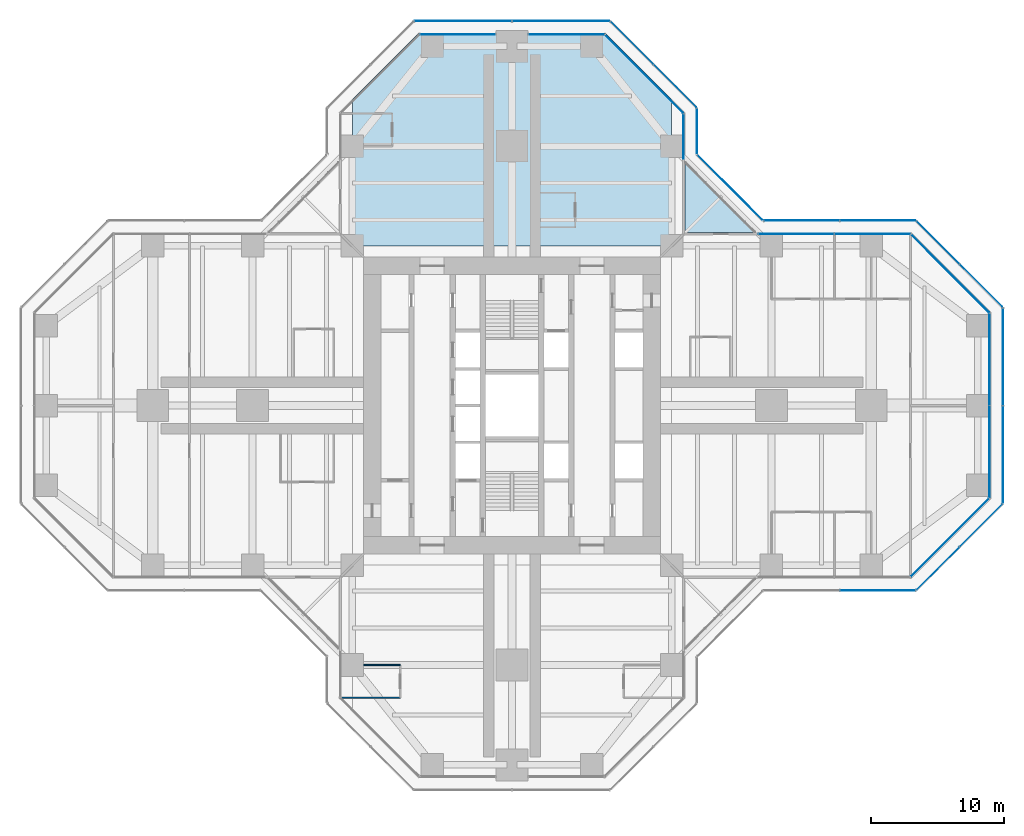
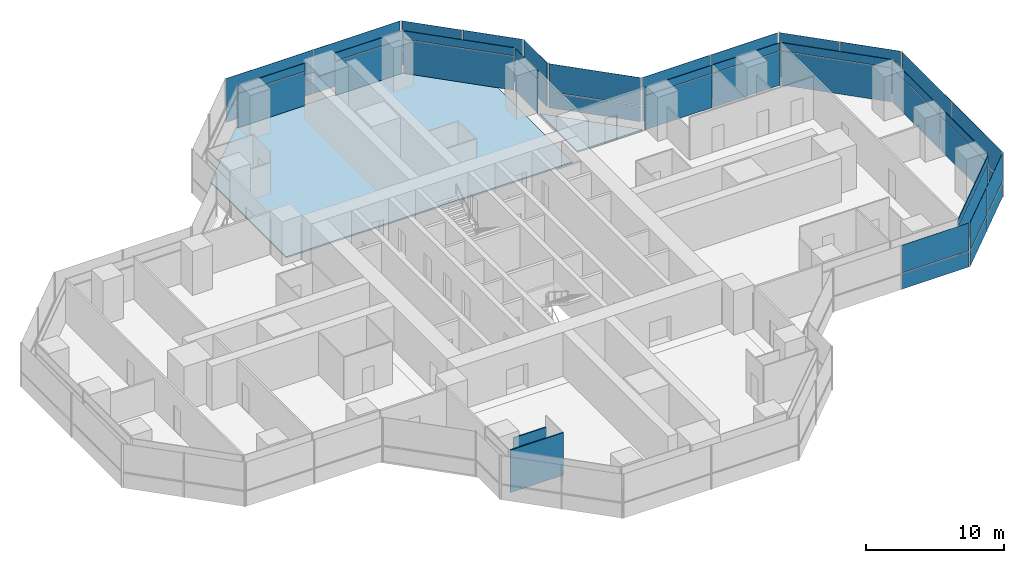
# One storey, part 14 of 20: 50 plates, 2 slabs, 2 walls, 17 elements without a shape of their own.
"""IFC4 building model written with IfcOpenShell, lengths in metres."""

import ifcopenshell
import ifcopenshell.guid

model = None  # the IFC model being written
_history = None  # IfcOwnerHistory: only IFC2X3 demands one
_inside = {}  # id of a spatial element -> (the spatial element, [elements in it])
_under = {}  # id of a project, library or spatial element -> (it, [spatial elements below it])
_declared = {}  # id of a project -> (the project, [libraries it declares])
_typed = {}  # id of a type object -> (the type object, [elements of that type])
_made_of = {}  # id of a material, layer set ... -> (it, [elements and type objects made of it])


def new_model(schema):
    """Start an empty IFC model of exactly this schema.

    Asked for "IFC4X3", IfcOpenShell would pick the latest addendum, in which some entities
    have other attributes; the version numbers below select the first issue.
    IFC2X3 requires an IfcOwnerHistory on every rooted entity: one is made here for all.
    """
    global model, _history
    if schema == "IFC4X3":
        model = ifcopenshell.file(schema_version=(4, 3, 0, 0))
    else:
        model = ifcopenshell.file(schema=schema)
    _inside.clear()
    _under.clear()
    _declared.clear()
    _typed.clear()
    _made_of.clear()
    _history = None
    if model.schema == "IFC2X3":
        org = make("IfcOrganization", Name="unknown")
        user = make(
            "IfcPersonAndOrganization",
            ThePerson=make("IfcPerson", FamilyName="unknown"),
            TheOrganization=org,
        )
        app = make(
            "IfcApplication",
            ApplicationDeveloper=org,
            Version="unknown",
            ApplicationFullName="unknown",
            ApplicationIdentifier="unknown",
        )
        _history = make(
            "IfcOwnerHistory",
            OwningUser=user,
            OwningApplication=app,
            ChangeAction="ADDED",
            CreationDate=0,
        )
    return model


def make(cls, **values):
    """One entity of the class cls with the attributes given. An attribute that is None is left unset."""
    return model.create_entity(
        cls, **{name: value for name, value in values.items() if value is not None}
    )


def rooted(cls, **values):
    """An entity with a GlobalId (a new one), such as an element, a storey or a relation."""
    return make(cls, GlobalId=ifcopenshell.guid.new(), OwnerHistory=_history, **values)


def si_unit(unit_type, name, prefix=None):
    """IfcSIUnit, for example si_unit("LENGTHUNIT", "METRE", prefix="MILLI")."""
    return make("IfcSIUnit", UnitType=unit_type, Prefix=prefix, Name=name)


def assignment(units):
    """IfcUnitAssignment: the units of a project."""
    return None if units is None else make("IfcUnitAssignment", Units=units)


def point(xyz):
    """IfcCartesianPoint."""
    return None if xyz is None else make("IfcCartesianPoint", Coordinates=xyz)


def direction(xyz):
    """IfcDirection."""
    return None if xyz is None else make("IfcDirection", DirectionRatios=xyz)


def frame(location, z_axis=None, x_axis=None):
    """IfcAxis2Placement3D, a coordinate frame: its origin and axes. An axis left out is left unset."""
    return make(
        "IfcAxis2Placement3D",
        Location=point(location),
        Axis=direction(z_axis),
        RefDirection=direction(x_axis),
    )


def frame_2d(location, x_axis=None):
    """IfcAxis2Placement2D, a coordinate frame in the plane: its origin and x axis."""
    return make(
        "IfcAxis2Placement2D", Location=point(location), RefDirection=direction(x_axis)
    )


def origin():
    """The frame at (0, 0, 0) with its axes left unset."""
    return frame((0.0, 0.0, 0.0))


def origin_2d():
    """The frame at (0, 0) in the plane with its x axis left unset."""
    return frame_2d((0.0, 0.0))


def place(relative_to, where):
    """IfcLocalPlacement: puts the frame where relative to a parent placement (None: the world)."""
    return make(
        "IfcLocalPlacement", PlacementRelTo=relative_to, RelativePlacement=where
    )


def context(
    kind, dimensions, precision=None, world=None, true_north=None, identifier=None
):
    """IfcGeometricRepresentationContext, for example the 3D "Model" context."""
    return make(
        "IfcGeometricRepresentationContext",
        ContextIdentifier=identifier,
        ContextType=kind,
        CoordinateSpaceDimension=dimensions,
        Precision=precision,
        WorldCoordinateSystem=world,
        TrueNorth=true_north,
    )


def subcontext(parent, identifier, kind, view, scale=None):
    """IfcGeometricRepresentationSubContext, for example "Body" below "Model"."""
    return make(
        "IfcGeometricRepresentationSubContext",
        ContextIdentifier=identifier,
        ContextType=kind,
        ParentContext=parent,
        TargetScale=scale,
        TargetView=view,
    )


def project(units=None, contexts=None):
    """IfcProject with its units and contexts."""
    return rooted(
        "IfcProject",
        Name="project",
        RepresentationContexts=contexts,
        UnitsInContext=assignment(units),
    )


def spatial(cls, under=None, at=None, **own):
    """A site, building, storey or space (cls), placed at a placement, below another one or the project."""
    s = rooted(cls, ObjectPlacement=at, **own)
    if under is not None:
        _under.setdefault(under.id(), (under, []))[1].append(s)
    return s


def polyline(points):
    """IfcPolyline through the points."""
    return make("IfcPolyline", Points=[point(p) for p in points])


def profile(cls, at=None, kind="AREA", **sizes):
    """A parametric profile (cls). Its sizes go by their IFC names, for example OverallWidth=200.0."""
    return make(cls, ProfileType=kind, Position=at, **sizes)


def rectangle(**sizes):
    """IfcRectangleProfileDef."""
    return profile("IfcRectangleProfileDef", **sizes)


def outline(outer, holes=None, kind="AREA"):
    """IfcArbitraryClosedProfileDef: a profile drawn as a closed curve; with holes, ...WithVoids."""
    if holes is None:
        return make("IfcArbitraryClosedProfileDef", ProfileType=kind, OuterCurve=outer)
    return make(
        "IfcArbitraryProfileDefWithVoids",
        ProfileType=kind,
        OuterCurve=outer,
        InnerCurves=holes,
    )


def extrude(swept, where, along, depth):
    """IfcExtrudedAreaSolid: the profile swept, set in the frame where, extruded along a direction by depth."""
    return make(
        "IfcExtrudedAreaSolid",
        SweptArea=swept,
        Position=where,
        ExtrudedDirection=direction(along),
        Depth=depth,
    )


def shape(context_of_items, identifier, shape_type, items):
    """IfcShapeRepresentation: the items that make up one representation, for example the "Body"."""
    return make(
        "IfcShapeRepresentation",
        ContextOfItems=context_of_items,
        RepresentationIdentifier=identifier,
        RepresentationType=shape_type,
        Items=items,
    )


def material(Name=None, Category=None):
    """IfcMaterial."""
    return make("IfcMaterial", Name=Name, Category=Category)


def layer(
    of_material, thickness, ventilated=None, Name=None, Category=None, Priority=None
):
    """IfcMaterialLayer: one layer of a wall or slab, of a material (None: an air gap)."""
    return make(
        "IfcMaterialLayer",
        Material=of_material,
        LayerThickness=thickness,
        IsVentilated=ventilated,
        Name=Name,
        Category=Category,
        Priority=Priority,
    )


def layer_set(layers, Name=None):
    """IfcMaterialLayerSet."""
    return make("IfcMaterialLayerSet", MaterialLayers=layers, LayerSetName=Name)


def made_of(thing, what):
    """Note that an element or type object is made of a material, layer set ...; save() writes the relation."""
    if what is not None:
        _made_of.setdefault(what.id(), (what, []))[1].append(thing)
    return thing


def type_object(cls, material=None, **own):
    """A type object (cls), such as IfcWallType, which elements share."""
    return made_of(rooted(cls, **own), material)


def element(
    cls,
    number,
    at=None,
    inside=None,
    cuts=None,
    type_object=None,
    material=None,
    context=None,
    identifier="Body",
    shape_type=None,
    held_by="IfcProductDefinitionShape",
    body=None,
    shapes=None,
    **own,
):
    """One element of the class cls, such as IfcWall. Its Tag is "e" and its number.

    at: its placement. inside: the storey or other place that contains it. cuts: it is an
    opening in that element (IfcRelVoidsElement). A single representation is given by context,
    identifier, shape_type and body (its items); several are given by shapes. held_by: the class
    of the entity that holds the representations. save() writes the other relations.
    """
    e = rooted(cls, Tag="e%d" % number, ObjectPlacement=at, **own)
    if body is not None:
        shapes = [shape(context, identifier, shape_type, body)]
    if shapes is not None:
        e.Representation = make(held_by, Representations=shapes)
    if inside is not None:
        _inside.setdefault(inside.id(), (inside, []))[1].append(e)
    if cuts is not None:
        rooted(
            "IfcRelVoidsElement", RelatingBuildingElement=cuts, RelatedOpeningElement=e
        )
    if type_object is not None:
        _typed.setdefault(type_object.id(), (type_object, []))[1].append(e)
    return made_of(e, material)


def aggregate(whole, parts):
    """IfcRelAggregates: a whole, such as a stair, and the parts it consists of."""
    return rooted("IfcRelAggregates", RelatingObject=whole, RelatedObjects=parts)


def save(model, path):
    """Write the relations noted so far, then the file.

    IfcRelAggregates (storeys below a building ...), IfcRelContainedInSpatialStructure (elements
    in a storey), IfcRelDefinesByType, IfcRelAssociatesMaterial and IfcRelDeclares: one each for
    every whole, place, type object, material and project.
    """
    for whole, parts in _under.values():
        aggregate(whole, parts)
    for where, things in _inside.values():
        rooted(
            "IfcRelContainedInSpatialStructure",
            RelatedElements=things,
            RelatingStructure=where,
        )
    for kind, things in _typed.values():
        rooted("IfcRelDefinesByType", RelatedObjects=things, RelatingType=kind)
    for what, things in _made_of.values():
        rooted("IfcRelAssociatesMaterial", RelatedObjects=things, RelatingMaterial=what)
    for by, libraries in _declared.values():
        rooted("IfcRelDeclares", RelatingContext=by, RelatedDefinitions=libraries)
    model.write(path)


model = new_model("IFC4")

# Units and contexts
model_context = context("Model", 3, precision=1e-05, world=origin(), true_north=direction((0.0, 1.0)))
body_context = subcontext(model_context, "Body", "Model", "MODEL_VIEW")
ifc_project = project(units=[si_unit("LENGTHUNIT", "METRE"), si_unit("AREAUNIT", "SQUARE_METRE"), si_unit("VOLUMEUNIT", "CUBIC_METRE"), si_unit("PLANEANGLEUNIT", "RADIAN"), si_unit("MASSUNIT", "GRAM", prefix="KILO")], contexts=[model_context])

# Site, building, storey
site_placement = place(None, origin())
site = spatial("IfcSite", under=ifc_project, at=site_placement, CompositionType="ELEMENT")
building_placement = place(site_placement, origin())
building = spatial("IfcBuilding", under=site, at=building_placement, Name="Mizan Broadcast Tower", CompositionType="ELEMENT")
storey_placement = place(building_placement, frame((0.0, 0.0, 155.39990234375)))
storey = spatial("IfcBuildingStorey", under=building, at=storey_placement, Name="L35", CompositionType="ELEMENT", Elevation=155.39990234375)

# Slab
ifc_material_1 = material(Name="Concrete C32/40", Category="concrete")
ifc_layer_1 = layer(ifc_material_1, 0.1298828125)
ifc_layer_set_1 = layer_set([ifc_layer_1], Name="Concrete C32/40")
slab_type_1 = type_object("IfcSlabType", Name="COMPOSITE DECK SLAB 130", PredefinedType="FLOOR", material=ifc_layer_set_1)
slab_1_placement = place(storey_placement, frame((0.0, 0.0, -0.1298828125)))
element("IfcSlab", 1, at=slab_1_placement, inside=storey, type_object=slab_type_1, Name="Floor slab L35 north arm", PredefinedType="FLOOR", context=body_context, shape_type="SweptSolid", body=[
    extrude(outline(polyline([(-7.0, 28.0), (-12.0, 23.0), (-12.0, 12.0), (12.0, 12.0), (12.0, 23.0), (7.0, 28.0), (-7.0, 28.0)])), origin(), (0.0, 0.0, 1.0), 0.1298828125),
])

# Curtain wall, plate
ifc_material_2 = material(Name="Aluminium framed glazing", Category="aluminium")
curtain_wall_type_1 = type_object("IfcCurtainWallType", Name="INNER SKIN MID ZONE", PredefinedType="USERDEFINED", material=ifc_material_2)
curtain_wall_1_placement = place(storey_placement, origin())
curtain_wall_1 = element("IfcCurtainWall", 2, at=curtain_wall_1_placement, inside=storey, type_object=curtain_wall_type_1, Name="Inner skin mid zone L35 E chamfer", ObjectType="INNER SKIN MID ZONE", PredefinedType="USERDEFINED")
ifc_material_3 = material(Name="Double glazing, clear low-e", Category="glass")
ifc_layer_2 = layer(ifc_material_3, 0.028076171875)
ifc_layer_set_2 = layer_set([ifc_layer_2], Name="Double glazing, clear low-e")
plate_type_1 = type_object("IfcPlateType", Name="INNER SKIN GLAZING UNIT", PredefinedType="CURTAIN_PANEL", material=ifc_layer_set_2)
plate_1_placement = place(storey_placement, frame((32.92919921875, -9.92919921875, 0.0), z_axis=(0.0, 0.0, 1.0), x_axis=(0.707106781187, 0.707106781187, 0.0)))
plate_1 = element("IfcPlate", 3, at=plate_1_placement, type_object=plate_type_1, Name="Inner skin mid zone L35 E chamfer panel 1.1", PredefinedType="CURTAIN_PANEL", context=body_context, shape_type="SweptSolid", body=[
    extrude(rectangle(XDim=8.282470703125, YDim=0.028076171875, at=origin_2d()), origin(), (0.0, 0.0, 1.0), 3.0),
])

# Curtain wall, plates
curtain_wall_2_placement = place(storey_placement, origin())
curtain_wall_2 = element("IfcCurtainWall", 4, at=curtain_wall_2_placement, inside=storey, type_object=curtain_wall_type_1, Name="Inner skin mid zone L35 E end", ObjectType="INNER SKIN MID ZONE", PredefinedType="USERDEFINED")
plate_2_placement = place(storey_placement, frame((35.89990234375, -3.46435546875, 0.0), z_axis=(0.0, 0.0, 1.0), x_axis=(0.0, 1.0, 0.0)))
plate_2 = element("IfcPlate", 5, at=plate_2_placement, type_object=plate_type_1, Name="Inner skin mid zone L35 E end panel 1.1", PredefinedType="CURTAIN_PANEL", context=body_context, shape_type="SweptSolid", body=[
    extrude(rectangle(XDim=6.86865234375, YDim=0.028076171875, at=origin_2d()), origin(), (0.0, 0.0, 1.0), 3.0),
])
plate_3_placement = place(storey_placement, frame((35.89990234375, 3.46435546875, 0.0), z_axis=(0.0, 0.0, 1.0), x_axis=(0.0, 1.0, 0.0)))
plate_3 = element("IfcPlate", 6, at=plate_3_placement, type_object=plate_type_1, Name="Inner skin mid zone L35 E end panel 2.1", PredefinedType="CURTAIN_PANEL", context=body_context, shape_type="SweptSolid", body=[
    extrude(rectangle(XDim=6.86865234375, YDim=0.028076171875, at=origin_2d()), origin(), (0.0, 0.0, 1.0), 3.0),
])

# Curtain wall, plate
curtain_wall_3_placement = place(storey_placement, origin())
curtain_wall_3 = element("IfcCurtainWall", 7, at=curtain_wall_3_placement, inside=storey, type_object=curtain_wall_type_1, Name="Inner skin mid zone L35 E chamfer", ObjectType="INNER SKIN MID ZONE", PredefinedType="USERDEFINED")
plate_4_placement = place(storey_placement, frame((32.92919921875, 9.92919921875, 0.0), z_axis=(0.0, 0.0, 1.0), x_axis=(-0.707106781187, 0.707106781187, 0.0)))
plate_4 = element("IfcPlate", 8, at=plate_4_placement, type_object=plate_type_1, Name="Inner skin mid zone L35 E chamfer panel 1.1", PredefinedType="CURTAIN_PANEL", context=body_context, shape_type="SweptSolid", body=[
    extrude(rectangle(XDim=8.282470703125, YDim=0.028076171875, at=origin_2d()), origin(), (0.0, 0.0, 1.0), 3.0),
])

# Curtain wall, plates
curtain_wall_4_placement = place(storey_placement, origin())
curtain_wall_4 = element("IfcCurtainWall", 9, at=curtain_wall_4_placement, inside=storey, type_object=curtain_wall_type_1, Name="Inner skin mid zone L35 E side", ObjectType="INNER SKIN MID ZONE", PredefinedType="USERDEFINED")
plate_5_placement = place(storey_placement, frame((27.078857421875, 12.89990234375, 0.0), z_axis=(0.0, 0.0, 1.0), x_axis=(-1.0, 0.0, 0.0)))
plate_5 = element("IfcPlate", 10, at=plate_5_placement, type_object=plate_type_1, Name="Inner skin mid zone L35 E side panel 1.1", PredefinedType="CURTAIN_PANEL", context=body_context, shape_type="SweptSolid", body=[
    extrude(rectangle(XDim=5.639404296875, YDim=0.028076171875, at=origin_2d()), origin(), (0.0, 0.0, 1.0), 3.0),
])
plate_6_placement = place(storey_placement, frame((21.379638671875, 12.89990234375, 0.0), z_axis=(0.0, 0.0, 1.0), x_axis=(-1.0, 0.0, 0.0)))
plate_6 = element("IfcPlate", 11, at=plate_6_placement, type_object=plate_type_1, Name="Inner skin mid zone L35 E side panel 2.1", PredefinedType="CURTAIN_PANEL", context=body_context, shape_type="SweptSolid", body=[
    extrude(rectangle(XDim=5.639404296875, YDim=0.028076171875, at=origin_2d()), origin(), (0.0, 0.0, 1.0), 3.0),
])

# Curtain wall, plate
curtain_wall_5_placement = place(storey_placement, origin())
curtain_wall_5 = element("IfcCurtainWall", 12, at=curtain_wall_5_placement, inside=storey, type_object=curtain_wall_type_1, Name="Inner skin mid zone L35 N side", ObjectType="INNER SKIN MID ZONE", PredefinedType="USERDEFINED")
plate_7_placement = place(storey_placement, frame((12.89990234375, 20.229248046875, 0.0), z_axis=(0.0, 0.0, 1.0), x_axis=(0.0, 1.0, 0.0)))
plate_7 = element("IfcPlate", 13, at=plate_7_placement, type_object=plate_type_1, Name="Inner skin mid zone L35 N side panel 1.1", PredefinedType="CURTAIN_PANEL", context=body_context, shape_type="SweptSolid", body=[
    extrude(rectangle(XDim=3.338623046875, YDim=0.028076171875, at=origin_2d()), origin(), (0.0, 0.0, 1.0), 3.0),
])

curtain_wall_6_placement = place(storey_placement, origin())
curtain_wall_6 = element("IfcCurtainWall", 14, at=curtain_wall_6_placement, inside=storey, type_object=curtain_wall_type_1, Name="Inner skin mid zone L35 N chamfer", ObjectType="INNER SKIN MID ZONE", PredefinedType="USERDEFINED")
plate_8_placement = place(storey_placement, frame((9.92919921875, 24.92919921875, 0.0), z_axis=(0.0, 0.0, 1.0), x_axis=(-0.707106781187, 0.707106781187, 0.0)))
plate_8 = element("IfcPlate", 15, at=plate_8_placement, type_object=plate_type_1, Name="Inner skin mid zone L35 N chamfer panel 1.1", PredefinedType="CURTAIN_PANEL", context=body_context, shape_type="SweptSolid", body=[
    extrude(rectangle(XDim=8.282470703125, YDim=0.028076171875, at=origin_2d()), origin(), (0.0, 0.0, 1.0), 3.0),
])

curtain_wall_7_placement = place(storey_placement, origin())
curtain_wall_7 = element("IfcCurtainWall", 16, at=curtain_wall_7_placement, inside=storey, type_object=curtain_wall_type_1, Name="Inner skin mid zone L35 N end", ObjectType="INNER SKIN MID ZONE", PredefinedType="USERDEFINED")
plate_9_placement = place(storey_placement, frame((4.079345703125, 27.89990234375, 0.0), z_axis=(0.0, 0.0, 1.0), x_axis=(-1.0, 0.0, 0.0)))
plate_9 = element("IfcPlate", 17, at=plate_9_placement, type_object=plate_type_1, Name="Inner skin mid zone L35 N end panel 1.1", PredefinedType="CURTAIN_PANEL", context=body_context, shape_type="SweptSolid", body=[
    extrude(rectangle(XDim=5.638671875, YDim=0.028076171875, at=origin_2d()), origin(), (0.0, 0.0, 1.0), 3.0),
])

curtain_wall_8_placement = place(storey_placement, origin())
curtain_wall_8 = element("IfcCurtainWall", 18, at=curtain_wall_8_placement, inside=storey, type_object=curtain_wall_type_1, Name="Inner skin mid zone L35 N end", ObjectType="INNER SKIN MID ZONE", PredefinedType="USERDEFINED")
plate_10_placement = place(storey_placement, frame((-4.079345703125, 27.89990234375, 0.0), z_axis=(0.0, 0.0, 1.0), x_axis=(-1.0, 0.0, 0.0)))
plate_10 = element("IfcPlate", 19, at=plate_10_placement, type_object=plate_type_1, Name="Inner skin mid zone L35 N end panel 1.1", PredefinedType="CURTAIN_PANEL", context=body_context, shape_type="SweptSolid", body=[
    extrude(rectangle(XDim=5.638671875, YDim=0.028076171875, at=origin_2d()), origin(), (0.0, 0.0, 1.0), 3.0),
])

# Plate
ifc_material_4 = material(Name="Insulated aluminium spandrel panel, pale anodised", Category="aluminium")
ifc_layer_3 = layer(ifc_material_4, 0.050048828125)
ifc_layer_set_3 = layer_set([ifc_layer_3], Name="Insulated aluminium spandrel panel, pale anodised")
plate_type_2 = type_object("IfcPlateType", Name="INNER SKIN SPANDREL PANEL", PredefinedType="CURTAIN_PANEL", material=ifc_layer_set_3)
plate_11_placement = place(storey_placement, frame((32.92919921875, -9.92919921875, 3.06005859375), z_axis=(0.0, 0.0, 1.0), x_axis=(0.707106781187, 0.707106781187, 0.0)))
plate_11 = element("IfcPlate", 20, at=plate_11_placement, type_object=plate_type_2, Name="Inner skin mid zone L35 E chamfer panel 1.2", PredefinedType="CURTAIN_PANEL", context=body_context, shape_type="SweptSolid", body=[
    extrude(rectangle(XDim=8.282470703125, YDim=0.050048828125, at=origin_2d()), origin(), (0.0, 0.0, 1.0), 0.7099609375),
])

aggregate(curtain_wall_1, [plate_1, plate_11])

plate_12_placement = place(storey_placement, frame((35.89990234375, -3.46435546875, 3.06005859375), z_axis=(0.0, 0.0, 1.0), x_axis=(0.0, 1.0, 0.0)))
plate_12 = element("IfcPlate", 21, at=plate_12_placement, type_object=plate_type_2, Name="Inner skin mid zone L35 E end panel 1.2", PredefinedType="CURTAIN_PANEL", context=body_context, shape_type="SweptSolid", body=[
    extrude(rectangle(XDim=6.86865234375, YDim=0.050048828125, at=origin_2d()), origin(), (0.0, 0.0, 1.0), 0.7099609375),
])

plate_13_placement = place(storey_placement, frame((35.89990234375, 3.46435546875, 3.06005859375), z_axis=(0.0, 0.0, 1.0), x_axis=(0.0, 1.0, 0.0)))
plate_13 = element("IfcPlate", 22, at=plate_13_placement, type_object=plate_type_2, Name="Inner skin mid zone L35 E end panel 2.2", PredefinedType="CURTAIN_PANEL", context=body_context, shape_type="SweptSolid", body=[
    extrude(rectangle(XDim=6.86865234375, YDim=0.050048828125, at=origin_2d()), origin(), (0.0, 0.0, 1.0), 0.7099609375),
])

aggregate(curtain_wall_2, [plate_2, plate_12, plate_3, plate_13])

plate_14_placement = place(storey_placement, frame((32.92919921875, 9.92919921875, 3.06005859375), z_axis=(0.0, 0.0, 1.0), x_axis=(-0.707106781187, 0.707106781187, 0.0)))
plate_14 = element("IfcPlate", 23, at=plate_14_placement, type_object=plate_type_2, Name="Inner skin mid zone L35 E chamfer panel 1.2", PredefinedType="CURTAIN_PANEL", context=body_context, shape_type="SweptSolid", body=[
    extrude(rectangle(XDim=8.282470703125, YDim=0.050048828125, at=origin_2d()), origin(), (0.0, 0.0, 1.0), 0.7099609375),
])

aggregate(curtain_wall_3, [plate_4, plate_14])

plate_15_placement = place(storey_placement, frame((27.078857421875, 12.89990234375, 3.06005859375), z_axis=(0.0, 0.0, 1.0), x_axis=(-1.0, 0.0, 0.0)))
plate_15 = element("IfcPlate", 24, at=plate_15_placement, type_object=plate_type_2, Name="Inner skin mid zone L35 E side panel 1.2", PredefinedType="CURTAIN_PANEL", context=body_context, shape_type="SweptSolid", body=[
    extrude(rectangle(XDim=5.639404296875, YDim=0.050048828125, at=origin_2d()), origin(), (0.0, 0.0, 1.0), 0.7099609375),
])

plate_16_placement = place(storey_placement, frame((21.379638671875, 12.89990234375, 3.06005859375), z_axis=(0.0, 0.0, 1.0), x_axis=(-1.0, 0.0, 0.0)))
plate_16 = element("IfcPlate", 25, at=plate_16_placement, type_object=plate_type_2, Name="Inner skin mid zone L35 E side panel 2.2", PredefinedType="CURTAIN_PANEL", context=body_context, shape_type="SweptSolid", body=[
    extrude(rectangle(XDim=5.639404296875, YDim=0.050048828125, at=origin_2d()), origin(), (0.0, 0.0, 1.0), 0.7099609375),
])

aggregate(curtain_wall_4, [plate_5, plate_15, plate_6, plate_16])

plate_17_placement = place(storey_placement, frame((12.89990234375, 20.229248046875, 3.06005859375), z_axis=(0.0, 0.0, 1.0), x_axis=(0.0, 1.0, 0.0)))
plate_17 = element("IfcPlate", 26, at=plate_17_placement, type_object=plate_type_2, Name="Inner skin mid zone L35 N side panel 1.2", PredefinedType="CURTAIN_PANEL", context=body_context, shape_type="SweptSolid", body=[
    extrude(rectangle(XDim=3.338623046875, YDim=0.050048828125, at=origin_2d()), origin(), (0.0, 0.0, 1.0), 0.7099609375),
])

aggregate(curtain_wall_5, [plate_7, plate_17])

plate_18_placement = place(storey_placement, frame((9.92919921875, 24.92919921875, 3.06005859375), z_axis=(0.0, 0.0, 1.0), x_axis=(-0.707106781187, 0.707106781187, 0.0)))
plate_18 = element("IfcPlate", 27, at=plate_18_placement, type_object=plate_type_2, Name="Inner skin mid zone L35 N chamfer panel 1.2", PredefinedType="CURTAIN_PANEL", context=body_context, shape_type="SweptSolid", body=[
    extrude(rectangle(XDim=8.282470703125, YDim=0.050048828125, at=origin_2d()), origin(), (0.0, 0.0, 1.0), 0.7099609375),
])

aggregate(curtain_wall_6, [plate_8, plate_18])

plate_19_placement = place(storey_placement, frame((4.079345703125, 27.89990234375, 3.06005859375), z_axis=(0.0, 0.0, 1.0), x_axis=(-1.0, 0.0, 0.0)))
plate_19 = element("IfcPlate", 28, at=plate_19_placement, type_object=plate_type_2, Name="Inner skin mid zone L35 N end panel 1.2", PredefinedType="CURTAIN_PANEL", context=body_context, shape_type="SweptSolid", body=[
    extrude(rectangle(XDim=5.638671875, YDim=0.050048828125, at=origin_2d()), origin(), (0.0, 0.0, 1.0), 0.7099609375),
])

aggregate(curtain_wall_7, [plate_9, plate_19])

plate_20_placement = place(storey_placement, frame((-4.079345703125, 27.89990234375, 3.06005859375), z_axis=(0.0, 0.0, 1.0), x_axis=(-1.0, 0.0, 0.0)))
plate_20 = element("IfcPlate", 29, at=plate_20_placement, type_object=plate_type_2, Name="Inner skin mid zone L35 N end panel 1.2", PredefinedType="CURTAIN_PANEL", context=body_context, shape_type="SweptSolid", body=[
    extrude(rectangle(XDim=5.638671875, YDim=0.050048828125, at=origin_2d()), origin(), (0.0, 0.0, 1.0), 0.7099609375),
])

aggregate(curtain_wall_8, [plate_10, plate_20])

# Curtain wall, plates
ifc_material_5 = material(Name="Aluminium framed glazing", Category="aluminium")
curtain_wall_type_2 = type_object("IfcCurtainWallType", Name="OUTER SKIN", PredefinedType="USERDEFINED", material=ifc_material_5)
curtain_wall_9_placement = place(storey_placement, origin())
curtain_wall_9 = element("IfcCurtainWall", 30, at=curtain_wall_9_placement, inside=storey, type_object=curtain_wall_type_2, Name="Outer skin L35 E chamfer", ObjectType="OUTER SKIN", PredefinedType="USERDEFINED")
ifc_material_6 = material(Name="Laminated clear glass", Category="glass")
ifc_layer_4 = layer(ifc_material_6, 0.02001953125)
ifc_layer_set_4 = layer_set([ifc_layer_4], Name="Laminated clear glass")
plate_type_3 = type_object("IfcPlateType", Name="OUTER SKIN CLEAR GLASS", PredefinedType="CURTAIN_PANEL", material=ifc_layer_set_4)
plate_21_placement = place(storey_placement, frame((32.018798828125, -12.254150390625, 0.0), z_axis=(0.0, 0.0, 1.0), x_axis=(0.707106781187, 0.707106781187, 0.0)))
plate_21 = element("IfcPlate", 31, at=plate_21_placement, type_object=plate_type_3, Name="Outer skin L35 E chamfer panel 1.1", PredefinedType="CURTAIN_PANEL", context=body_context, shape_type="SweptSolid", body=[
    extrude(rectangle(XDim=4.495361328125, YDim=0.02001953125, at=origin_2d()), origin(), (0.0, 0.0, 1.0), 1.3701171875),
])
plate_22_placement = place(storey_placement, frame((32.018798828125, -12.254150390625, 1.43017578125), z_axis=(0.0, 0.0, 1.0), x_axis=(0.707106781187, 0.707106781187, 0.0)))
plate_22 = element("IfcPlate", 32, at=plate_22_placement, type_object=plate_type_3, Name="Outer skin L35 E chamfer panel 1.2", PredefinedType="CURTAIN_PANEL", context=body_context, shape_type="SweptSolid", body=[
    extrude(rectangle(XDim=4.495361328125, YDim=0.02001953125, at=origin_2d()), origin(), (0.0, 0.0, 1.0), 2.469970703125),
])

curtain_wall_10_placement = place(storey_placement, origin())
curtain_wall_10 = element("IfcCurtainWall", 33, at=curtain_wall_10_placement, inside=storey, type_object=curtain_wall_type_2, Name="Outer skin L35 E end", ObjectType="OUTER SKIN", PredefinedType="USERDEFINED")
plate_23_placement = place(storey_placement, frame((36.89990234375, -3.66650390625, 0.0), z_axis=(0.0, 0.0, 1.0), x_axis=(0.0, 1.0, 0.0)))
plate_23 = element("IfcPlate", 34, at=plate_23_placement, type_object=plate_type_3, Name="Outer skin L35 E end panel 1.1", PredefinedType="CURTAIN_PANEL", context=body_context, shape_type="SweptSolid", body=[
    extrude(rectangle(XDim=7.252685546875, YDim=0.02001953125, at=origin_2d()), origin(), (0.0, 0.0, 1.0), 1.3701171875),
])
plate_24_placement = place(storey_placement, frame((36.89990234375, -3.66650390625, 1.43017578125), z_axis=(0.0, 0.0, 1.0), x_axis=(0.0, 1.0, 0.0)))
plate_24 = element("IfcPlate", 35, at=plate_24_placement, type_object=plate_type_3, Name="Outer skin L35 E end panel 1.2", PredefinedType="CURTAIN_PANEL", context=body_context, shape_type="SweptSolid", body=[
    extrude(rectangle(XDim=7.252685546875, YDim=0.02001953125, at=origin_2d()), origin(), (0.0, 0.0, 1.0), 2.469970703125),
])

curtain_wall_11_placement = place(storey_placement, origin())
curtain_wall_11 = element("IfcCurtainWall", 36, at=curtain_wall_11_placement, inside=storey, type_object=curtain_wall_type_2, Name="Outer skin L35 E chamfer", ObjectType="OUTER SKIN", PredefinedType="USERDEFINED")
plate_25_placement = place(storey_placement, frame((35.254150390625, 9.018798828125, 0.0), z_axis=(0.0, 0.0, 1.0), x_axis=(-0.707106781187, 0.707106781187, 0.0)))
plate_25 = element("IfcPlate", 37, at=plate_25_placement, type_object=plate_type_3, Name="Outer skin L35 E chamfer panel 1.1", PredefinedType="CURTAIN_PANEL", context=body_context, shape_type="SweptSolid", body=[
    extrude(rectangle(XDim=4.495361328125, YDim=0.02001953125, at=origin_2d()), origin(), (0.0, 0.0, 1.0), 1.3701171875),
])
plate_26_placement = place(storey_placement, frame((35.254150390625, 9.018798828125, 1.43017578125), z_axis=(0.0, 0.0, 1.0), x_axis=(-0.707106781187, 0.707106781187, 0.0)))
plate_26 = element("IfcPlate", 38, at=plate_26_placement, type_object=plate_type_3, Name="Outer skin L35 E chamfer panel 1.2", PredefinedType="CURTAIN_PANEL", context=body_context, shape_type="SweptSolid", body=[
    extrude(rectangle(XDim=4.495361328125, YDim=0.02001953125, at=origin_2d()), origin(), (0.0, 0.0, 1.0), 2.469970703125),
])

curtain_wall_12_placement = place(storey_placement, origin())
curtain_wall_12 = element("IfcCurtainWall", 39, at=curtain_wall_12_placement, inside=storey, type_object=curtain_wall_type_2, Name="Outer skin L35 E side", ObjectType="OUTER SKIN", PredefinedType="USERDEFINED")
plate_27_placement = place(storey_placement, frame((27.477783203125, 13.89990234375, 0.0), z_axis=(0.0, 0.0, 1.0), x_axis=(-1.0, 0.0, 0.0)))
plate_27 = element("IfcPlate", 40, at=plate_27_placement, type_object=plate_type_3, Name="Outer skin L35 E side panel 1.1", PredefinedType="CURTAIN_PANEL", context=body_context, shape_type="SweptSolid", body=[
    extrude(rectangle(XDim=5.6298828125, YDim=0.02001953125, at=origin_2d()), origin(), (0.0, 0.0, 1.0), 1.3701171875),
])
plate_28_placement = place(storey_placement, frame((27.477783203125, 13.89990234375, 1.43017578125), z_axis=(0.0, 0.0, 1.0), x_axis=(-1.0, 0.0, 0.0)))
plate_28 = element("IfcPlate", 41, at=plate_28_placement, type_object=plate_type_3, Name="Outer skin L35 E side panel 1.2", PredefinedType="CURTAIN_PANEL", context=body_context, shape_type="SweptSolid", body=[
    extrude(rectangle(XDim=5.6298828125, YDim=0.02001953125, at=origin_2d()), origin(), (0.0, 0.0, 1.0), 2.469970703125),
])
plate_29_placement = place(storey_placement, frame((21.767822265625, 13.89990234375, 0.0), z_axis=(0.0, 0.0, 1.0), x_axis=(-1.0, 0.0, 0.0)))
plate_29 = element("IfcPlate", 42, at=plate_29_placement, type_object=plate_type_3, Name="Outer skin L35 E side panel 2.1", PredefinedType="CURTAIN_PANEL", context=body_context, shape_type="SweptSolid", body=[
    extrude(rectangle(XDim=5.6298828125, YDim=0.02001953125, at=origin_2d()), origin(), (0.0, 0.0, 1.0), 1.3701171875),
])
plate_30_placement = place(storey_placement, frame((21.767822265625, 13.89990234375, 1.43017578125), z_axis=(0.0, 0.0, 1.0), x_axis=(-1.0, 0.0, 0.0)))
plate_30 = element("IfcPlate", 43, at=plate_30_placement, type_object=plate_type_3, Name="Outer skin L35 E side panel 2.2", PredefinedType="CURTAIN_PANEL", context=body_context, shape_type="SweptSolid", body=[
    extrude(rectangle(XDim=5.6298828125, YDim=0.02001953125, at=origin_2d()), origin(), (0.0, 0.0, 1.0), 2.469970703125),
])
aggregate(curtain_wall_12, [plate_27, plate_28, plate_29, plate_30])

curtain_wall_13_placement = place(storey_placement, origin())
curtain_wall_13 = element("IfcCurtainWall", 44, at=curtain_wall_13_placement, inside=storey, type_object=curtain_wall_type_2, Name="Outer skin L35 E chamfer", ObjectType="OUTER SKIN", PredefinedType="USERDEFINED")
plate_31_placement = place(storey_placement, frame((16.386474609375, 16.386474609375, 0.0), z_axis=(0.0, 0.0, 1.0), x_axis=(-0.707106781187, 0.707106781187, 0.0)))
plate_31 = element("IfcPlate", 45, at=plate_31_placement, type_object=plate_type_3, Name="Outer skin L35 E chamfer panel 1.1", PredefinedType="CURTAIN_PANEL", context=body_context, shape_type="SweptSolid", body=[
    extrude(rectangle(XDim=6.87255859375, YDim=0.02001953125, at=origin_2d()), origin(), (0.0, 0.0, 1.0), 1.3701171875),
])
plate_32_placement = place(storey_placement, frame((16.386474609375, 16.386474609375, 1.43017578125), z_axis=(0.0, 0.0, 1.0), x_axis=(-0.707106781187, 0.707106781187, 0.0)))
plate_32 = element("IfcPlate", 46, at=plate_32_placement, type_object=plate_type_3, Name="Outer skin L35 E chamfer panel 1.2", PredefinedType="CURTAIN_PANEL", context=body_context, shape_type="SweptSolid", body=[
    extrude(rectangle(XDim=6.87255859375, YDim=0.02001953125, at=origin_2d()), origin(), (0.0, 0.0, 1.0), 2.469970703125),
])
aggregate(curtain_wall_13, [plate_31, plate_32])

curtain_wall_14_placement = place(storey_placement, origin())
curtain_wall_14 = element("IfcCurtainWall", 47, at=curtain_wall_14_placement, inside=storey, type_object=curtain_wall_type_2, Name="Outer skin L35 N side", ObjectType="OUTER SKIN", PredefinedType="USERDEFINED")
plate_33_placement = place(storey_placement, frame((13.89990234375, 20.622802734375, 0.0), z_axis=(0.0, 0.0, 1.0), x_axis=(0.0, 1.0, 0.0)))
plate_33 = element("IfcPlate", 48, at=plate_33_placement, type_object=plate_type_3, Name="Outer skin L35 N side panel 1.1", PredefinedType="CURTAIN_PANEL", context=body_context, shape_type="SweptSolid", body=[
    extrude(rectangle(XDim=3.340087890625, YDim=0.02001953125, at=origin_2d()), origin(), (0.0, 0.0, 1.0), 1.3701171875),
])
plate_34_placement = place(storey_placement, frame((13.89990234375, 20.622802734375, 1.43017578125), z_axis=(0.0, 0.0, 1.0), x_axis=(0.0, 1.0, 0.0)))
plate_34 = element("IfcPlate", 49, at=plate_34_placement, type_object=plate_type_3, Name="Outer skin L35 N side panel 1.2", PredefinedType="CURTAIN_PANEL", context=body_context, shape_type="SweptSolid", body=[
    extrude(rectangle(XDim=3.340087890625, YDim=0.02001953125, at=origin_2d()), origin(), (0.0, 0.0, 1.0), 2.469970703125),
])
aggregate(curtain_wall_14, [plate_33, plate_34])

curtain_wall_15_placement = place(storey_placement, origin())
curtain_wall_15 = element("IfcCurtainWall", 50, at=curtain_wall_15_placement, inside=storey, type_object=curtain_wall_type_2, Name="Outer skin L35 N chamfer", ObjectType="OUTER SKIN", PredefinedType="USERDEFINED")
plate_35_placement = place(storey_placement, frame((12.254150390625, 24.018798828125, 0.0), z_axis=(0.0, 0.0, 1.0), x_axis=(-0.707106781187, 0.707106781187, 0.0)))
plate_35 = element("IfcPlate", 51, at=plate_35_placement, type_object=plate_type_3, Name="Outer skin L35 N chamfer panel 1.1", PredefinedType="CURTAIN_PANEL", context=body_context, shape_type="SweptSolid", body=[
    extrude(rectangle(XDim=4.495361328125, YDim=0.02001953125, at=origin_2d()), origin(), (0.0, 0.0, 1.0), 1.3701171875),
])
plate_36_placement = place(storey_placement, frame((12.254150390625, 24.018798828125, 1.43017578125), z_axis=(0.0, 0.0, 1.0), x_axis=(-0.707106781187, 0.707106781187, 0.0)))
plate_36 = element("IfcPlate", 52, at=plate_36_placement, type_object=plate_type_3, Name="Outer skin L35 N chamfer panel 1.2", PredefinedType="CURTAIN_PANEL", context=body_context, shape_type="SweptSolid", body=[
    extrude(rectangle(XDim=4.495361328125, YDim=0.02001953125, at=origin_2d()), origin(), (0.0, 0.0, 1.0), 2.469970703125),
])

curtain_wall_16_placement = place(storey_placement, origin())
curtain_wall_16 = element("IfcCurtainWall", 53, at=curtain_wall_16_placement, inside=storey, type_object=curtain_wall_type_2, Name="Outer skin L35 N end", ObjectType="OUTER SKIN", PredefinedType="USERDEFINED")
plate_37_placement = place(storey_placement, frame((3.66650390625, 28.89990234375, 0.0), z_axis=(0.0, 0.0, 1.0), x_axis=(-1.0, 0.0, 0.0)))
plate_37 = element("IfcPlate", 54, at=plate_37_placement, type_object=plate_type_3, Name="Outer skin L35 N end panel 1.1", PredefinedType="CURTAIN_PANEL", context=body_context, shape_type="SweptSolid", body=[
    extrude(rectangle(XDim=7.252685546875, YDim=0.02001953125, at=origin_2d()), origin(), (0.0, 0.0, 1.0), 1.3701171875),
])
plate_38_placement = place(storey_placement, frame((3.66650390625, 28.89990234375, 1.43017578125), z_axis=(0.0, 0.0, 1.0), x_axis=(-1.0, 0.0, 0.0)))
plate_38 = element("IfcPlate", 55, at=plate_38_placement, type_object=plate_type_3, Name="Outer skin L35 N end panel 1.2", PredefinedType="CURTAIN_PANEL", context=body_context, shape_type="SweptSolid", body=[
    extrude(rectangle(XDim=7.252685546875, YDim=0.02001953125, at=origin_2d()), origin(), (0.0, 0.0, 1.0), 2.469970703125),
])
plate_39_placement = place(storey_placement, frame((-3.66650390625, 28.89990234375, 0.0), z_axis=(0.0, 0.0, 1.0), x_axis=(-1.0, 0.0, 0.0)))
plate_39 = element("IfcPlate", 56, at=plate_39_placement, type_object=plate_type_3, Name="Outer skin L35 N end panel 2.1", PredefinedType="CURTAIN_PANEL", context=body_context, shape_type="SweptSolid", body=[
    extrude(rectangle(XDim=7.252685546875, YDim=0.02001953125, at=origin_2d()), origin(), (0.0, 0.0, 1.0), 1.3701171875),
])
plate_40_placement = place(storey_placement, frame((-3.66650390625, 28.89990234375, 1.43017578125), z_axis=(0.0, 0.0, 1.0), x_axis=(-1.0, 0.0, 0.0)))
plate_40 = element("IfcPlate", 57, at=plate_40_placement, type_object=plate_type_3, Name="Outer skin L35 N end panel 2.2", PredefinedType="CURTAIN_PANEL", context=body_context, shape_type="SweptSolid", body=[
    extrude(rectangle(XDim=7.252685546875, YDim=0.02001953125, at=origin_2d()), origin(), (0.0, 0.0, 1.0), 2.469970703125),
])
aggregate(curtain_wall_16, [plate_37, plate_38, plate_39, plate_40])

# Plate
ifc_material_7 = material(Name="Perforated aluminium, pale anodised", Category="aluminium")
ifc_layer_5 = layer(ifc_material_7, 0.011962890625)
ifc_layer_set_5 = layer_set([ifc_layer_5], Name="Perforated aluminium, pale anodised")
plate_type_4 = type_object("IfcPlateType", Name="OUTER SKIN PERFORATED SCREEN", PredefinedType="USERDEFINED", material=ifc_layer_set_5)
plate_41_placement = place(storey_placement, frame((35.254150390625, -9.018798828125, 0.0), z_axis=(0.0, 0.0, 1.0), x_axis=(0.707106781187, 0.707106781187, 0.0)))
plate_41 = element("IfcPlate", 58, at=plate_41_placement, type_object=plate_type_4, Name="Outer skin L35 E chamfer panel 2.1", ObjectType="SCREEN", PredefinedType="USERDEFINED", context=body_context, shape_type="SweptSolid", body=[
    extrude(rectangle(XDim=4.495361328125, YDim=0.011962890625, at=origin_2d()), origin(), (0.0, 0.0, 1.0), 1.3701171875),
])

plate_42_placement = place(storey_placement, frame((35.254150390625, -9.018798828125, 1.43017578125), z_axis=(0.0, 0.0, 1.0), x_axis=(0.707106781187, 0.707106781187, 0.0)))
plate_42 = element("IfcPlate", 59, at=plate_42_placement, type_object=plate_type_4, Name="Outer skin L35 E chamfer panel 2.2", ObjectType="SCREEN", PredefinedType="USERDEFINED", context=body_context, shape_type="SweptSolid", body=[
    extrude(rectangle(XDim=4.495361328125, YDim=0.011962890625, at=origin_2d()), origin(), (0.0, 0.0, 1.0), 2.469970703125),
])

aggregate(curtain_wall_9, [plate_21, plate_22, plate_41, plate_42])

plate_43_placement = place(storey_placement, frame((36.89990234375, 3.66650390625, 0.0), z_axis=(0.0, 0.0, 1.0), x_axis=(0.0, 1.0, 0.0)))
plate_43 = element("IfcPlate", 60, at=plate_43_placement, type_object=plate_type_4, Name="Outer skin L35 E end panel 2.1", ObjectType="SCREEN", PredefinedType="USERDEFINED", context=body_context, shape_type="SweptSolid", body=[
    extrude(rectangle(XDim=7.252685546875, YDim=0.011962890625, at=origin_2d()), origin(), (0.0, 0.0, 1.0), 1.3701171875),
])

plate_44_placement = place(storey_placement, frame((36.89990234375, 3.66650390625, 1.43017578125), z_axis=(0.0, 0.0, 1.0), x_axis=(0.0, 1.0, 0.0)))
plate_44 = element("IfcPlate", 61, at=plate_44_placement, type_object=plate_type_4, Name="Outer skin L35 E end panel 2.2", ObjectType="SCREEN", PredefinedType="USERDEFINED", context=body_context, shape_type="SweptSolid", body=[
    extrude(rectangle(XDim=7.252685546875, YDim=0.011962890625, at=origin_2d()), origin(), (0.0, 0.0, 1.0), 2.469970703125),
])

aggregate(curtain_wall_10, [plate_23, plate_24, plate_43, plate_44])

plate_45_placement = place(storey_placement, frame((32.018798828125, 12.254150390625, 0.0), z_axis=(0.0, 0.0, 1.0), x_axis=(-0.707106781187, 0.707106781187, 0.0)))
plate_45 = element("IfcPlate", 62, at=plate_45_placement, type_object=plate_type_4, Name="Outer skin L35 E chamfer panel 2.1", ObjectType="SCREEN", PredefinedType="USERDEFINED", context=body_context, shape_type="SweptSolid", body=[
    extrude(rectangle(XDim=4.495361328125, YDim=0.011962890625, at=origin_2d()), origin(), (0.0, 0.0, 1.0), 1.3701171875),
])

plate_46_placement = place(storey_placement, frame((32.018798828125, 12.254150390625, 1.43017578125), z_axis=(0.0, 0.0, 1.0), x_axis=(-0.707106781187, 0.707106781187, 0.0)))
plate_46 = element("IfcPlate", 63, at=plate_46_placement, type_object=plate_type_4, Name="Outer skin L35 E chamfer panel 2.2", ObjectType="SCREEN", PredefinedType="USERDEFINED", context=body_context, shape_type="SweptSolid", body=[
    extrude(rectangle(XDim=4.495361328125, YDim=0.011962890625, at=origin_2d()), origin(), (0.0, 0.0, 1.0), 2.469970703125),
])

aggregate(curtain_wall_11, [plate_25, plate_26, plate_45, plate_46])

plate_47_placement = place(storey_placement, frame((9.018798828125, 27.254150390625, 0.0), z_axis=(0.0, 0.0, 1.0), x_axis=(-0.707106781187, 0.707106781187, 0.0)))
plate_47 = element("IfcPlate", 64, at=plate_47_placement, type_object=plate_type_4, Name="Outer skin L35 N chamfer panel 2.1", ObjectType="SCREEN", PredefinedType="USERDEFINED", context=body_context, shape_type="SweptSolid", body=[
    extrude(rectangle(XDim=4.495361328125, YDim=0.011962890625, at=origin_2d()), origin(), (0.0, 0.0, 1.0), 1.3701171875),
])

plate_48_placement = place(storey_placement, frame((9.018798828125, 27.254150390625, 1.43017578125), z_axis=(0.0, 0.0, 1.0), x_axis=(-0.707106781187, 0.707106781187, 0.0)))
plate_48 = element("IfcPlate", 65, at=plate_48_placement, type_object=plate_type_4, Name="Outer skin L35 N chamfer panel 2.2", ObjectType="SCREEN", PredefinedType="USERDEFINED", context=body_context, shape_type="SweptSolid", body=[
    extrude(rectangle(XDim=4.495361328125, YDim=0.011962890625, at=origin_2d()), origin(), (0.0, 0.0, 1.0), 2.469970703125),
])

aggregate(curtain_wall_15, [plate_35, plate_36, plate_47, plate_48])

# Curtain wall, plates
curtain_wall_17_placement = place(storey_placement, origin())
curtain_wall_17 = element("IfcCurtainWall", 66, at=curtain_wall_17_placement, inside=storey, type_object=curtain_wall_type_2, Name="Outer skin L35 E side", ObjectType="OUTER SKIN", PredefinedType="USERDEFINED")
plate_49_placement = place(storey_placement, frame((27.477783203125, -13.89990234375, 0.0), z_axis=(0.0, 0.0, 1.0), x_axis=(1.0, 0.0, 0.0)))
plate_49 = element("IfcPlate", 67, at=plate_49_placement, type_object=plate_type_4, Name="Outer skin L35 E side panel 2.1", ObjectType="SCREEN", PredefinedType="USERDEFINED", context=body_context, shape_type="SweptSolid", body=[
    extrude(rectangle(XDim=5.6298828125, YDim=0.011962890625, at=origin_2d()), origin(), (0.0, 0.0, 1.0), 1.3701171875),
])
plate_50_placement = place(storey_placement, frame((27.477783203125, -13.89990234375, 1.43017578125), z_axis=(0.0, 0.0, 1.0), x_axis=(1.0, 0.0, 0.0)))
plate_50 = element("IfcPlate", 68, at=plate_50_placement, type_object=plate_type_4, Name="Outer skin L35 E side panel 2.2", ObjectType="SCREEN", PredefinedType="USERDEFINED", context=body_context, shape_type="SweptSolid", body=[
    extrude(rectangle(XDim=5.6298828125, YDim=0.011962890625, at=origin_2d()), origin(), (0.0, 0.0, 1.0), 2.469970703125),
])
aggregate(curtain_wall_17, [plate_49, plate_50])

# Slab
ifc_material_8 = material(Name="Concrete C32/40", Category="concrete")
ifc_layer_6 = layer(ifc_material_8, 0.1298828125)
ifc_layer_set_6 = layer_set([ifc_layer_6], Name="Concrete C32/40")
slab_type_2 = type_object("IfcSlabType", Name="WINTER GARDEN SLAB 130", PredefinedType="FLOOR", material=ifc_layer_set_6)
slab_2_placement = place(storey_placement, frame((0.0, 0.0, -0.1298828125)))
element("IfcSlab", 69, at=slab_2_placement, inside=storey, type_object=slab_type_2, Name="Winter garden slab L35 E", PredefinedType="FLOOR", context=body_context, shape_type="SweptSolid", body=[
    extrude(outline(polyline([(13.0, 13.0), (18.5, 13.0), (13.0, 18.5), (13.0, 13.0)])), origin(), (0.0, 0.0, 1.0), 0.1298828125),
])

# Walls
ifc_material_9 = material(Name="Glazed aluminium partition on aluminium track", Category="aluminium")
ifc_layer_7 = layer(ifc_material_9, 0.10009765625)
ifc_layer_set_7 = layer_set([ifc_layer_7], Name="Glazed aluminium partition on aluminium track")
wall_type = type_object("IfcWallType", Name="PARTITION GLAZED OFFICE FRONT 100", PredefinedType="PARTITIONING", material=ifc_layer_set_7)
wall_1_placement = place(storey_placement, frame((-8.39990234375, -19.5, 0.0), z_axis=(0.0, 0.0, 1.0), x_axis=(-1.0, 0.0, 0.0)))
element("IfcWall", 70, at=wall_1_placement, inside=storey, type_object=wall_type, Name="Glazed office front PT/SQN1950", PredefinedType="PARTITIONING", context=body_context, shape_type="SweptSolid", body=[
    extrude(rectangle(XDim=2.75, YDim=0.10009765625, at=frame_2d((1.375, 0.0))), origin(), (0.0, 0.0, 1.0), 2.77001953125),
])
wall_2_placement = place(storey_placement, frame((-8.39990234375, -21.958984375, 0.0), z_axis=(0.0, 0.0, 1.0), x_axis=(-1.0, 0.0, 0.0)))
element("IfcWall", 71, at=wall_2_placement, inside=storey, type_object=wall_type, Name="Glazed office front PT/SQN2196", PredefinedType="PARTITIONING", context=body_context, shape_type="SweptSolid", body=[
    extrude(rectangle(XDim=4.420166015625, YDim=0.10009765625, at=frame_2d((2.2099609375, 0.0))), origin(), (0.0, 0.0, 1.0), 3.77001953125),
])

save(model, "model.ifc")
